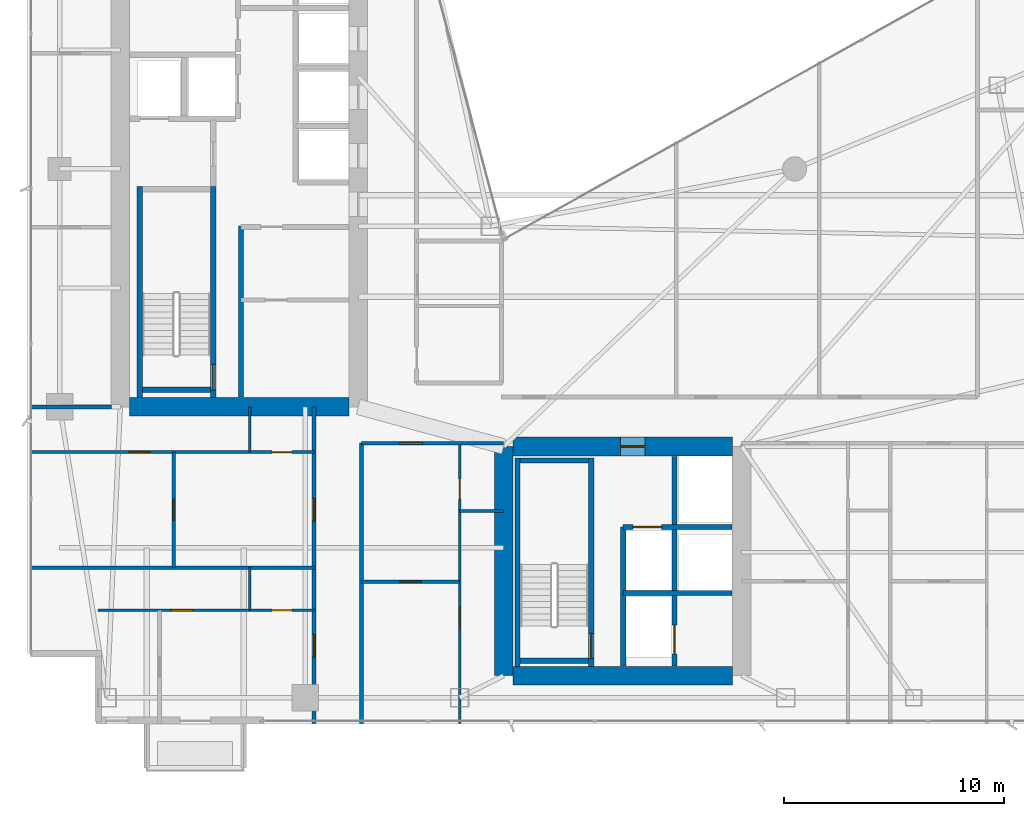
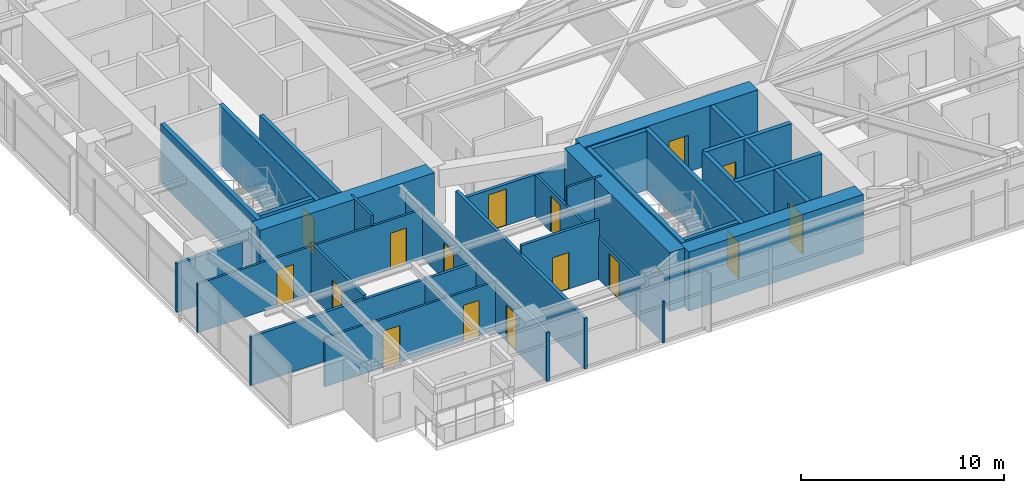
# One storey, part 22 of 28: 29 walls, 16 doors, 16 openings.
"""IFC4 building model written with IfcOpenShell, lengths in metres."""

from ifc_helpers import new_model, si_unit, direction, frame, frame_2d, origin, place, context, subcontext, project, spatial, rectangle, extrude, material, layer, layer_set, type_object, element, fill, save


model = new_model("IFC4")

# Units and contexts
model_context = context("Model", 3, precision=1e-05, world=origin(), true_north=direction((0.0, 1.0)))
body_context = subcontext(model_context, "Body", "Model", "MODEL_VIEW")
ifc_project = project(units=[si_unit("LENGTHUNIT", "METRE"), si_unit("AREAUNIT", "SQUARE_METRE"), si_unit("VOLUMEUNIT", "CUBIC_METRE"), si_unit("PLANEANGLEUNIT", "RADIAN"), si_unit("MASSUNIT", "GRAM", prefix="KILO")], contexts=[model_context])

# Site, building, storey
site_placement = place(None, origin())
site = spatial("IfcSite", under=ifc_project, at=site_placement, CompositionType="ELEMENT")
building_placement = place(site_placement, origin())
building = spatial("IfcBuilding", under=site, at=building_placement, Name="Calvorn Quay Hotel", CompositionType="ELEMENT")
storey_placement = place(building_placement, frame((0.0, 0.0, 159.89990234375)))
storey = spatial("IfcBuildingStorey", under=building, at=storey_placement, Name="L39", CompositionType="ELEMENT", Elevation=159.89990234375)

# Walls
ifc_material_1 = material(Name="Concrete C50", Category="concrete")
ifc_layer_1 = layer(ifc_material_1, 0.85009765625)
ifc_layer_set_1 = layer_set([ifc_layer_1], Name="WL-CORE-850")
wall_type_1 = type_object("IfcWallType", Name="WL-CORE-850", PredefinedType="SHEAR", material=ifc_layer_set_1)
wall_1_placement = place(storey_placement, frame((4.625, 16.800048828125, 0.0), z_axis=(0.0, 0.0, 1.0), x_axis=(1.0, 0.0, 0.0)))
element("IfcWall", 1, at=wall_1_placement, inside=storey, type_object=wall_type_1, Name="West Core Shear Wall S (L39)", PredefinedType="SHEAR", context=body_context, shape_type="SweptSolid", body=[
    extrude(rectangle(XDim=9.949951171875, YDim=0.85009765625, at=frame_2d((4.97509765625, 0.0))), origin(), (0.0, 0.0, 1.0), 3.56005859375),
])
wall_2_placement = place(storey_placement, frame((21.60009765625, 4.60009765625, 0.0), z_axis=(0.0, 0.0, 1.0), x_axis=(0.0, 1.0, 0.0)))
element("IfcWall", 2, at=wall_2_placement, inside=storey, type_object=wall_type_1, Name="East Core Shear Wall W (L39)", PredefinedType="SHEAR", context=body_context, shape_type="SweptSolid", body=[
    extrude(rectangle(XDim=10.39990234375, YDim=0.85009765625, at=frame_2d((5.199951171875, 0.0))), origin(), (0.0, 0.0, 1.0), 3.56005859375),
])

# Wall, opening, door
wall_3_placement = place(storey_placement, frame((22.02490234375, 15.0, 0.0), z_axis=(0.0, 0.0, 1.0), x_axis=(1.0, 0.0, 0.0)))
wall_3 = element("IfcWall", 3, at=wall_3_placement, inside=storey, type_object=wall_type_1, Name="East Core Shear Wall N (L39)", PredefinedType="SHEAR", context=body_context, shape_type="SweptSolid", body=[
    extrude(rectangle(XDim=9.9501953125, YDim=0.85009765625, at=frame_2d((4.97509765625, 0.0))), origin(), (0.0, 0.0, 1.0), 3.56005859375),
])
opening_1_placement = place(wall_3_placement, frame((4.8798828125, 0.0, 0.0)))
opening_1 = element("IfcOpeningElement", 4, at=opening_1_placement, cuts=wall_3, Name="Opening D-L39-FLE", PredefinedType="OPENING", context=body_context, shape_type="SweptSolid", body=[
    extrude(rectangle(XDim=1.10009765625, YDim=2.199951171875, at=frame_2d((0.550048828125, 1.10009765625))), frame((0.0, 0.43505859375, 0.0), z_axis=(0.0, -1.0, 0.0), x_axis=(1.0, 0.0, 0.0)), (0.0, 0.0, 1.0), 0.8701171875),
])
ifc_material_2 = material(Name="Smoke-Sealed Steel Class A Fire Door", Category="steel")
door_type_1 = type_object("IfcDoorType", Name="DR-FFLOBBY-1100", OperationType="NOTDEFINED", PredefinedType="DOOR", material=ifc_material_2)
door_1_placement = place(opening_1_placement, origin())
door_1 = element("IfcDoor", 5, at=door_1_placement, inside=storey, type_object=door_type_1, Name="East Firefighting Lobby Fire Door (L39)", OperationType="SINGLE_SWING_LEFT", OverallHeight=2.199951171875, OverallWidth=1.10009765625, PredefinedType="DOOR", context=body_context, shape_type="SweptSolid", body=[
    extrude(rectangle(XDim=1.10009765625, YDim=2.199951171875, at=frame_2d((0.550048828125, 1.10009765625))), frame((0.0, 0.02490234375, 0.0), z_axis=(0.0, -1.0, 0.0), x_axis=(1.0, 0.0, 0.0)), (0.0, 0.0, 1.0), 0.050048828125),
])
fill(opening_1, door_1)

# Walls
wall_4_placement = place(storey_placement, frame((22.02490234375, 4.60009765625, 0.0), z_axis=(0.0, 0.0, 1.0), x_axis=(1.0, 0.0, 0.0)))
element("IfcWall", 6, at=wall_4_placement, inside=storey, type_object=wall_type_1, Name="East Core Shear Wall S (L39)", PredefinedType="SHEAR", context=body_context, shape_type="SweptSolid", body=[
    extrude(rectangle(XDim=9.9501953125, YDim=0.85009765625, at=frame_2d((4.97509765625, 0.0))), origin(), (0.0, 0.0, 1.0), 3.56005859375),
])
ifc_material_3 = material(Name="Acoustic Fireboard Steel-Stud Partition", Category="steel")
ifc_layer_2 = layer(ifc_material_3, 0.179931640625)
ifc_layer_set_2 = layer_set([ifc_layer_2], Name="WL-CORR-FIRE-180")
wall_type_2 = type_object("IfcWallType", Name="WL-CORR-FIRE-180", PredefinedType="PARTITIONING", material=ifc_layer_set_2)
wall_5_placement = place(storey_placement, frame((0.080078125, 16.800048828125, 0.0), z_axis=(0.0, 0.0, 1.0), x_axis=(1.0, 0.0, 0.0)))
element("IfcWall", 7, at=wall_5_placement, inside=storey, type_object=wall_type_2, Name="Partition Wall L39-WL-WBAY-S-WALL", PredefinedType="PARTITIONING", context=body_context, shape_type="SweptSolid", body=[
    extrude(rectangle(XDim=3.724853515625, YDim=0.179931640625, at=frame_2d((1.8623046875, 0.0))), origin(), (0.0, 0.0, 1.0), 2.940185546875),
])

# Wall, openings, doors
wall_6_placement = place(storey_placement, frame((13.0, 2.43994140625, 0.0), z_axis=(0.0, 0.0, 1.0), x_axis=(0.0, 1.0, 0.0)))
wall_6 = element("IfcWall", 8, at=wall_6_placement, inside=storey, type_object=wall_type_2, Name="Partition Wall L39-WL-CORR-SW-LEG-W", PredefinedType="PARTITIONING", context=body_context, shape_type="SweptSolid", body=[
    extrude(rectangle(XDim=14.360107421875, YDim=0.179931640625, at=frame_2d((7.18017578125, 0.0))), origin(), (0.0, 0.0, 1.0), 2.940185546875),
])
opening_2_placement = place(wall_6_placement, frame((3.010009765625, 0.0, 0.0)))
opening_2 = element("IfcOpeningElement", 9, at=opening_2_placement, cuts=wall_6, Name="Opening D-L39-U01", PredefinedType="OPENING", context=body_context, shape_type="SweptSolid", body=[
    extrude(rectangle(XDim=1.02001953125, YDim=2.199951171875, at=frame_2d((0.510009765625, 1.10009765625))), frame((0.0, 0.099853515625, 0.0), z_axis=(0.0, -1.0, 0.0), x_axis=(1.0, 0.0, 0.0)), (0.0, 0.0, 1.0), 0.199951171875),
])
opening_3_placement = place(wall_6_placement, frame((9.179931640625, 0.0, 0.0)))
opening_3 = element("IfcOpeningElement", 10, at=opening_3_placement, cuts=wall_6, Name="Opening D-L39-U02", PredefinedType="OPENING", context=body_context, shape_type="SweptSolid", body=[
    extrude(rectangle(XDim=1.02001953125, YDim=2.199951171875, at=frame_2d((0.510009765625, 1.10009765625))), frame((0.0, 0.099853515625, 0.0), z_axis=(0.0, -1.0, 0.0), x_axis=(1.0, 0.0, 0.0)), (0.0, 0.0, 1.0), 0.199951171875),
])
ifc_material_4 = material(Name="Solid-Core Walnut Veneer Hotel Fire Door")
door_type_2 = type_object("IfcDoorType", Name="DR-GUEST-ENTRY-1020", OperationType="NOTDEFINED", PredefinedType="DOOR", material=ifc_material_4)
door_2_placement = place(opening_2_placement, origin())
door_2 = element("IfcDoor", 11, at=door_2_placement, inside=storey, type_object=door_type_2, Name="South-West Unit Door U01 (L39)", OperationType="SINGLE_SWING_LEFT", OverallHeight=2.199951171875, OverallWidth=1.02001953125, PredefinedType="DOOR", context=body_context, shape_type="SweptSolid", body=[
    extrude(rectangle(XDim=1.02001953125, YDim=2.199951171875, at=frame_2d((0.510009765625, 1.10009765625))), frame((0.0, 0.02490234375, 0.0), z_axis=(0.0, -1.0, 0.0), x_axis=(1.0, 0.0, 0.0)), (0.0, 0.0, 1.0), 0.050048828125),
])
fill(opening_2, door_2)
door_3_placement = place(opening_3_placement, origin())
door_3 = element("IfcDoor", 12, at=door_3_placement, inside=storey, type_object=door_type_2, Name="South-West Unit Door U02 (L39)", OperationType="SINGLE_SWING_RIGHT", OverallHeight=2.199951171875, OverallWidth=1.02001953125, PredefinedType="DOOR", context=body_context, shape_type="SweptSolid", body=[
    extrude(rectangle(XDim=1.02001953125, YDim=2.199951171875, at=frame_2d((0.510009765625, 1.10009765625))), frame((0.0, 0.02490234375, 0.0), z_axis=(0.0, -1.0, 0.0), x_axis=(1.0, 0.0, 0.0)), (0.0, 0.0, 1.0), 0.050048828125),
])
fill(opening_3, door_3)

# Wall
wall_7_placement = place(storey_placement, frame((15.14990234375, 2.43994140625, 0.0), z_axis=(0.0, 0.0, 1.0), x_axis=(0.0, 1.0, 0.0)))
element("IfcWall", 13, at=wall_7_placement, inside=storey, type_object=wall_type_2, Name="Partition Wall L39-WL-CORR-SW-W", PredefinedType="PARTITIONING", context=body_context, shape_type="SweptSolid", body=[
    extrude(rectangle(XDim=12.7099609375, YDim=0.179931640625, at=frame_2d((6.35498046875, 0.0))), origin(), (0.0, 0.0, 1.0), 3.0400390625),
])

# Wall, opening, door
wall_8_placement = place(storey_placement, frame((15.14990234375, 15.14990234375, 0.0), z_axis=(0.0, 0.0, 1.0), x_axis=(1.0, 0.0, 0.0)))
wall_8 = element("IfcWall", 14, at=wall_8_placement, inside=storey, type_object=wall_type_2, Name="Partition Wall L39-WL-SC-CORR-S", PredefinedType="PARTITIONING", context=body_context, shape_type="SweptSolid", body=[
    extrude(rectangle(XDim=6.4501953125, YDim=0.179931640625, at=frame_2d((3.22509765625, 0.0))), origin(), (0.0, 0.0, 1.0), 2.489990234375),
])
opening_4_placement = place(wall_8_placement, frame((1.739990234375, 0.0, 0.0)))
opening_4 = element("IfcOpeningElement", 15, at=opening_4_placement, cuts=wall_8, Name="Opening D-L39-U03", PredefinedType="OPENING", context=body_context, shape_type="SweptSolid", body=[
    extrude(rectangle(XDim=1.02001953125, YDim=2.199951171875, at=frame_2d((0.510009765625, 1.10009765625))), frame((0.0, 0.099853515625, 0.0), z_axis=(0.0, -1.0, 0.0), x_axis=(1.0, 0.0, 0.0)), (0.0, 0.0, 1.0), 0.199951171875),
])
door_4_placement = place(opening_4_placement, origin())
door_4 = element("IfcDoor", 16, at=door_4_placement, inside=storey, type_object=door_type_2, Name="Harbour Central Unit Door (L39)", OperationType="SINGLE_SWING_LEFT", OverallHeight=2.199951171875, OverallWidth=1.02001953125, PredefinedType="DOOR", context=body_context, shape_type="SweptSolid", body=[
    extrude(rectangle(XDim=1.02001953125, YDim=2.199951171875, at=frame_2d((0.510009765625, 1.10009765625))), frame((0.0, 0.02490234375, 0.0), z_axis=(0.0, -1.0, 0.0), x_axis=(1.0, 0.0, 0.0)), (0.0, 0.0, 1.0), 0.050048828125),
])
fill(opening_4, door_4)

# Wall
ifc_material_5 = material(Name="Moisture-Resistant Tile-Backed Partition")
ifc_layer_3 = layer(ifc_material_5, 0.125)
ifc_layer_set_3 = layer_set([ifc_layer_3], Name="WL-ENSUITE-125")
wall_type_3 = type_object("IfcWallType", Name="WL-ENSUITE-125", PredefinedType="PARTITIONING", material=ifc_layer_set_3)
wall_9_placement = place(storey_placement, frame((10.080078125, 7.570068359375, 0.0), z_axis=(0.0, 0.0, 1.0), x_axis=(0.0, 1.0, 0.0)))
element("IfcWall", 17, at=wall_9_placement, inside=storey, type_object=wall_type_3, Name="Partition Wall L39-WL-U01-BDV", PredefinedType="PARTITIONING", context=body_context, shape_type="SweptSolid", body=[
    extrude(rectangle(XDim=1.929931640625, YDim=0.125, at=frame_2d((0.96484375, 0.0))), origin(), (0.0, 0.0, 1.0), 3.090087890625),
])

# Wall, openings, doors
wall_10_placement = place(storey_placement, frame((3.199951171875, 7.570068359375, 0.0), z_axis=(0.0, 0.0, 1.0), x_axis=(1.0, 0.0, 0.0)))
wall_10 = element("IfcWall", 18, at=wall_10_placement, inside=storey, type_object=wall_type_3, Name="Partition Wall L39-WL-U01-BH", PredefinedType="PARTITIONING", context=body_context, shape_type="SweptSolid", body=[
    extrude(rectangle(XDim=9.800048828125, YDim=0.125, at=frame_2d((4.89990234375, 0.0))), origin(), (0.0, 0.0, 1.0), 2.940185546875),
])
opening_5_placement = place(wall_10_placement, frame((3.320068359375, 0.0, 0.0)))
opening_5 = element("IfcOpeningElement", 19, at=opening_5_placement, cuts=wall_10, Name="Opening D-L39-S01", PredefinedType="OPENING", context=body_context, shape_type="SweptSolid", body=[
    extrude(rectangle(XDim=0.9599609375, YDim=2.199951171875, at=frame_2d((0.47998046875, 1.10009765625))), frame((0.0, 0.072509765625, 0.0), z_axis=(0.0, -1.0, 0.0), x_axis=(1.0, 0.0, 0.0)), (0.0, 0.0, 1.0), 0.14501953125),
])
opening_6_placement = place(wall_10_placement, frame((7.889892578125, 0.0, 0.0)))
opening_6 = element("IfcOpeningElement", 20, at=opening_6_placement, cuts=wall_10, Name="Opening D-L39-E01", PredefinedType="OPENING", context=body_context, shape_type="SweptSolid", body=[
    extrude(rectangle(XDim=0.89990234375, YDim=2.14990234375, at=frame_2d((0.449951171875, 1.074951171875))), frame((0.0, 0.072509765625, 0.0), z_axis=(0.0, -1.0, 0.0), x_axis=(1.0, 0.0, 0.0)), (0.0, 0.0, 1.0), 0.14501953125),
])
ifc_material_6 = material(Name="Moisture-Sealed Timber En-Suite Door", Category="wood")
door_type_3 = type_object("IfcDoorType", Name="DR-ENSUITE-900", OperationType="NOTDEFINED", PredefinedType="DOOR", material=ifc_material_6)
door_5_placement = place(opening_6_placement, origin())
door_5 = element("IfcDoor", 21, at=door_5_placement, inside=storey, type_object=door_type_3, Name="En-Suite Door 01", OperationType="SINGLE_SWING_RIGHT", OverallHeight=2.14990234375, OverallWidth=0.89990234375, PredefinedType="DOOR", context=body_context, shape_type="SweptSolid", body=[
    extrude(rectangle(XDim=0.89990234375, YDim=2.14990234375, at=frame_2d((0.449951171875, 1.074951171875))), frame((0.0, 0.02490234375, 0.0), z_axis=(0.0, -1.0, 0.0), x_axis=(1.0, 0.0, 0.0)), (0.0, 0.0, 1.0), 0.050048828125),
])
fill(opening_6, door_5)
ifc_material_7 = material(Name="Solid Timber Internal Suite Door", Category="wood")
door_type_4 = type_object("IfcDoorType", Name="DR-SUITE-INT-960", OperationType="NOTDEFINED", PredefinedType="DOOR", material=ifc_material_7)
door_6_placement = place(opening_5_placement, origin())
door_6 = element("IfcDoor", 22, at=door_6_placement, inside=storey, type_object=door_type_4, Name="Botanical Winter Garden Door 01", OperationType="SINGLE_SWING_LEFT", OverallHeight=2.199951171875, OverallWidth=0.9599609375, PredefinedType="DOOR", context=body_context, shape_type="SweptSolid", body=[
    extrude(rectangle(XDim=0.9599609375, YDim=2.199951171875, at=frame_2d((0.47998046875, 1.10009765625))), frame((0.0, 0.02490234375, 0.0), z_axis=(0.0, -1.0, 0.0), x_axis=(1.0, 0.0, 0.0)), (0.0, 0.0, 1.0), 0.050048828125),
])
fill(opening_5, door_6)

# Wall
wall_11_placement = place(storey_placement, frame((10.080078125, 14.75, 0.0), z_axis=(0.0, 0.0, 1.0), x_axis=(0.0, 1.0, 0.0)))
element("IfcWall", 23, at=wall_11_placement, inside=storey, type_object=wall_type_3, Name="Partition Wall L39-WL-U02-BDV", PredefinedType="PARTITIONING", context=body_context, shape_type="SweptSolid", body=[
    extrude(rectangle(XDim=2.050048828125, YDim=0.125, at=frame_2d((1.02490234375, 0.0))), origin(), (0.0, 0.0, 1.0), 3.56005859375),
])

# Wall, openings, doors
wall_12_placement = place(storey_placement, frame((0.080078125, 14.75, 0.0), z_axis=(0.0, 0.0, 1.0), x_axis=(1.0, 0.0, 0.0)))
wall_12 = element("IfcWall", 24, at=wall_12_placement, inside=storey, type_object=wall_type_3, Name="Partition Wall L39-WL-U02-BH", PredefinedType="PARTITIONING", context=body_context, shape_type="SweptSolid", body=[
    extrude(rectangle(XDim=12.919921875, YDim=0.125, at=frame_2d((6.4599609375, 0.0))), origin(), (0.0, 0.0, 1.0), 2.940185546875),
])
opening_7_placement = place(wall_12_placement, frame((4.52001953125, 0.0, 0.0)))
opening_7 = element("IfcOpeningElement", 25, at=opening_7_placement, cuts=wall_12, Name="Opening D-L39-S02", PredefinedType="OPENING", context=body_context, shape_type="SweptSolid", body=[
    extrude(rectangle(XDim=0.9599609375, YDim=2.199951171875, at=frame_2d((0.47998046875, 1.10009765625))), frame((0.0, 0.072509765625, 0.0), z_axis=(0.0, -1.0, 0.0), x_axis=(1.0, 0.0, 0.0)), (0.0, 0.0, 1.0), 0.14501953125),
])
opening_8_placement = place(wall_12_placement, frame((11.010009765625, 0.0, 0.0)))
opening_8 = element("IfcOpeningElement", 26, at=opening_8_placement, cuts=wall_12, Name="Opening D-L39-E02", PredefinedType="OPENING", context=body_context, shape_type="SweptSolid", body=[
    extrude(rectangle(XDim=0.89990234375, YDim=2.14990234375, at=frame_2d((0.449951171875, 1.074951171875))), frame((0.0, 0.072509765625, 0.0), z_axis=(0.0, -1.0, 0.0), x_axis=(1.0, 0.0, 0.0)), (0.0, 0.0, 1.0), 0.14501953125),
])
door_7_placement = place(opening_8_placement, origin())
door_7 = element("IfcDoor", 27, at=door_7_placement, inside=storey, type_object=door_type_3, Name="En-Suite Door 02", OperationType="SINGLE_SWING_RIGHT", OverallHeight=2.14990234375, OverallWidth=0.89990234375, PredefinedType="DOOR", context=body_context, shape_type="SweptSolid", body=[
    extrude(rectangle(XDim=0.89990234375, YDim=2.14990234375, at=frame_2d((0.449951171875, 1.074951171875))), frame((0.0, 0.02490234375, 0.0), z_axis=(0.0, -1.0, 0.0), x_axis=(1.0, 0.0, 0.0)), (0.0, 0.0, 1.0), 0.050048828125),
])
fill(opening_8, door_7)
door_8_placement = place(opening_7_placement, origin())
door_8 = element("IfcDoor", 28, at=door_8_placement, inside=storey, type_object=door_type_4, Name="Botanical Winter Garden Door 02", OperationType="SINGLE_SWING_LEFT", OverallHeight=2.199951171875, OverallWidth=0.9599609375, PredefinedType="DOOR", context=body_context, shape_type="SweptSolid", body=[
    extrude(rectangle(XDim=0.9599609375, YDim=2.199951171875, at=frame_2d((0.47998046875, 1.10009765625))), frame((0.0, 0.02490234375, 0.0), z_axis=(0.0, -1.0, 0.0), x_axis=(1.0, 0.0, 0.0)), (0.0, 0.0, 1.0), 0.050048828125),
])
fill(opening_7, door_8)

# Wall
wall_13_placement = place(storey_placement, frame((19.60009765625, 12.070068359375, 0.0), z_axis=(0.0, 0.0, 1.0), x_axis=(1.0, 0.0, 0.0)))
element("IfcWall", 29, at=wall_13_placement, inside=storey, type_object=wall_type_3, Name="Partition Wall L39-WL-U03-BDV", PredefinedType="PARTITIONING", context=body_context, shape_type="SweptSolid", body=[
    extrude(rectangle(XDim=2.0, YDim=0.125, at=frame_2d((1.0, 0.0))), origin(), (0.0, 0.0, 1.0), 3.56005859375),
])

# Wall, openings, doors
wall_14_placement = place(storey_placement, frame((19.60009765625, 2.43994140625, 0.0), z_axis=(0.0, 0.0, 1.0), x_axis=(0.0, 1.0, 0.0)))
wall_14 = element("IfcWall", 30, at=wall_14_placement, inside=storey, type_object=wall_type_3, Name="Partition Wall L39-WL-U03-BV", PredefinedType="PARTITIONING", context=body_context, shape_type="SweptSolid", body=[
    extrude(rectangle(XDim=12.7099609375, YDim=0.125, at=frame_2d((6.35498046875, 0.0))), origin(), (0.0, 0.0, 1.0), 2.489990234375),
])
opening_9_placement = place(wall_14_placement, frame((4.340087890625, 0.0, 0.0)))
opening_9 = element("IfcOpeningElement", 31, at=opening_9_placement, cuts=wall_14, Name="Opening D-L39-S03", PredefinedType="OPENING", context=body_context, shape_type="SweptSolid", body=[
    extrude(rectangle(XDim=0.9599609375, YDim=2.199951171875, at=frame_2d((0.47998046875, 1.10009765625))), frame((0.0, 0.072509765625, 0.0), z_axis=(0.0, -1.0, 0.0), x_axis=(1.0, 0.0, 0.0)), (0.0, 0.0, 1.0), 0.14501953125),
])
opening_10_placement = place(wall_14_placement, frame((10.179931640625, 0.0, 0.0)))
opening_10 = element("IfcOpeningElement", 32, at=opening_10_placement, cuts=wall_14, Name="Opening D-L39-E03", PredefinedType="OPENING", context=body_context, shape_type="SweptSolid", body=[
    extrude(rectangle(XDim=0.89990234375, YDim=2.14990234375, at=frame_2d((0.449951171875, 1.074951171875))), frame((0.0, 0.072509765625, 0.0), z_axis=(0.0, -1.0, 0.0), x_axis=(1.0, 0.0, 0.0)), (0.0, 0.0, 1.0), 0.14501953125),
])
door_9_placement = place(opening_10_placement, origin())
door_9 = element("IfcDoor", 33, at=door_9_placement, inside=storey, type_object=door_type_3, Name="En-Suite Door 03", OperationType="SINGLE_SWING_RIGHT", OverallHeight=2.14990234375, OverallWidth=0.89990234375, PredefinedType="DOOR", context=body_context, shape_type="SweptSolid", body=[
    extrude(rectangle(XDim=0.89990234375, YDim=2.14990234375, at=frame_2d((0.449951171875, 1.074951171875))), frame((0.0, 0.02490234375, 0.0), z_axis=(0.0, -1.0, 0.0), x_axis=(1.0, 0.0, 0.0)), (0.0, 0.0, 1.0), 0.050048828125),
])
fill(opening_10, door_9)
door_10_placement = place(opening_9_placement, origin())
door_10 = element("IfcDoor", 34, at=door_10_placement, inside=storey, type_object=door_type_4, Name="Botanical Winter Garden Door 03", OperationType="SINGLE_SWING_LEFT", OverallHeight=2.199951171875, OverallWidth=0.9599609375, PredefinedType="DOOR", context=body_context, shape_type="SweptSolid", body=[
    extrude(rectangle(XDim=0.9599609375, YDim=2.199951171875, at=frame_2d((0.47998046875, 1.10009765625))), frame((0.0, 0.02490234375, 0.0), z_axis=(0.0, -1.0, 0.0), x_axis=(1.0, 0.0, 0.0)), (0.0, 0.0, 1.0), 0.050048828125),
])
fill(opening_9, door_10)

# Wall, opening, door
ifc_material_8 = material(Name="Double-Stud Acoustic Gypsum Partition")
ifc_layer_4 = layer(ifc_material_8, 0.159912109375)
ifc_layer_set_4 = layer_set([ifc_layer_4], Name="WL-INTERSUITE-160")
wall_type_4 = type_object("IfcWallType", Name="WL-INTERSUITE-160", PredefinedType="PARTITIONING", material=ifc_layer_set_4)
wall_15_placement = place(storey_placement, frame((6.6201171875, 9.5, 0.0), z_axis=(0.0, 0.0, 1.0), x_axis=(0.0, 1.0, 0.0)))
wall_15 = element("IfcWall", 35, at=wall_15_placement, inside=storey, type_object=wall_type_4, Name="Partition Wall L39-WL-U02-MSP", PredefinedType="PARTITIONING", context=body_context, shape_type="SweptSolid", body=[
    extrude(rectangle(XDim=5.25, YDim=0.159912109375, at=frame_2d((2.625, 0.0))), origin(), (0.0, 0.0, 1.0), 3.14013671875),
])
opening_11_placement = place(wall_15_placement, frame((2.14990234375, 0.0, 0.0)))
opening_11 = element("IfcOpeningElement", 36, at=opening_11_placement, cuts=wall_15, Name="Opening D-L39-M02", PredefinedType="OPENING", context=body_context, shape_type="SweptSolid", body=[
    extrude(rectangle(XDim=0.9599609375, YDim=2.199951171875, at=frame_2d((0.47998046875, 1.10009765625))), frame((0.0, 0.08984375, 0.0), z_axis=(0.0, -1.0, 0.0), x_axis=(1.0, 0.0, 0.0)), (0.0, 0.0, 1.0), 0.179931640625),
])
door_11_placement = place(opening_11_placement, origin())
door_11 = element("IfcDoor", 37, at=door_11_placement, inside=storey, type_object=door_type_4, Name="Suite Bedroom Door 02", OperationType="SINGLE_SWING_LEFT", OverallHeight=2.199951171875, OverallWidth=0.9599609375, PredefinedType="DOOR", context=body_context, shape_type="SweptSolid", body=[
    extrude(rectangle(XDim=0.9599609375, YDim=2.199951171875, at=frame_2d((0.47998046875, 1.10009765625))), frame((0.0, 0.02490234375, 0.0), z_axis=(0.0, -1.0, 0.0), x_axis=(1.0, 0.0, 0.0)), (0.0, 0.0, 1.0), 0.050048828125),
])
fill(opening_11, door_11)

# Wall
wall_16_placement = place(storey_placement, frame((0.080078125, 9.5, 0.0), z_axis=(0.0, 0.0, 1.0), x_axis=(1.0, 0.0, 0.0)))
element("IfcWall", 38, at=wall_16_placement, inside=storey, type_object=wall_type_4, Name="Partition Wall L39-WL-SW-DIV-1", PredefinedType="PARTITIONING", context=body_context, shape_type="SweptSolid", body=[
    extrude(rectangle(XDim=12.919921875, YDim=0.159912109375, at=frame_2d((6.4599609375, 0.0))), origin(), (0.0, 0.0, 1.0), 2.940185546875),
])

# Wall, opening, door
wall_17_placement = place(storey_placement, frame((15.14990234375, 8.8701171875, 0.0), z_axis=(0.0, 0.0, 1.0), x_axis=(1.0, 0.0, 0.0)))
wall_17 = element("IfcWall", 39, at=wall_17_placement, inside=storey, type_object=wall_type_4, Name="Partition Wall L39-WL-U03-MSP", PredefinedType="PARTITIONING", context=body_context, shape_type="SweptSolid", body=[
    extrude(rectangle(XDim=4.4501953125, YDim=0.159912109375, at=frame_2d((2.22509765625, 0.0))), origin(), (0.0, 0.0, 1.0), 3.56005859375),
])
opening_12_placement = place(wall_17_placement, frame((1.75, 0.0, 0.0)))
opening_12 = element("IfcOpeningElement", 40, at=opening_12_placement, cuts=wall_17, Name="Opening D-L39-M03", PredefinedType="OPENING", context=body_context, shape_type="SweptSolid", body=[
    extrude(rectangle(XDim=0.9599609375, YDim=2.199951171875, at=frame_2d((0.47998046875, 1.10009765625))), frame((0.0, 0.08984375, 0.0), z_axis=(0.0, -1.0, 0.0), x_axis=(1.0, 0.0, 0.0)), (0.0, 0.0, 1.0), 0.179931640625),
])
door_12_placement = place(opening_12_placement, origin())
door_12 = element("IfcDoor", 41, at=door_12_placement, inside=storey, type_object=door_type_4, Name="Suite Bedroom Door 03", OperationType="SINGLE_SWING_LEFT", OverallHeight=2.199951171875, OverallWidth=0.9599609375, PredefinedType="DOOR", context=body_context, shape_type="SweptSolid", body=[
    extrude(rectangle(XDim=0.9599609375, YDim=2.199951171875, at=frame_2d((0.47998046875, 1.10009765625))), frame((0.0, 0.02490234375, 0.0), z_axis=(0.0, -1.0, 0.0), x_axis=(1.0, 0.0, 0.0)), (0.0, 0.0, 1.0), 0.050048828125),
])
fill(opening_12, door_12)

# Walls
ifc_material_9 = material(Name="Autoclaved Aerated Masonry Block", Category="masonry")
ifc_layer_5 = layer(ifc_material_9, 0.219970703125)
ifc_layer_set_5 = layer_set([ifc_layer_5], Name="WL-LOBBY-FIRE-220")
wall_type_5 = type_object("IfcWallType", Name="WL-LOBBY-FIRE-220", PredefinedType="SOLIDWALL", material=ifc_layer_set_5)
wall_18_placement = place(storey_placement, frame((9.679931640625, 17.2451171875, 0.0), z_axis=(0.0, 0.0, 1.0), x_axis=(0.0, 1.0, 0.0)))
element("IfcWall", 42, at=wall_18_placement, inside=storey, type_object=wall_type_5, Name="Partition Wall L39-WL-CWW-STW-HALL-E", PredefinedType="SOLIDWALL", context=body_context, shape_type="SweptSolid", body=[
    extrude(rectangle(XDim=7.7548828125, YDim=0.219970703125, at=frame_2d((3.87744140625, 0.0))), origin(), (0.0, 0.0, 1.0), 3.56005859375),
])
ifc_material_10 = material(Name="Concrete C40", Category="concrete")
ifc_layer_6 = layer(ifc_material_10, 0.239990234375)
ifc_layer_set_6 = layer_set([ifc_layer_6], Name="WL-SHAFT-240")
wall_type_6 = type_object("IfcWallType", Name="WL-SHAFT-240", PredefinedType="SOLIDWALL", material=ifc_layer_set_6)
wall_19_placement = place(storey_placement, frame((5.080078125, 17.22509765625, 0.0), z_axis=(0.0, 0.0, 1.0), x_axis=(0.0, 1.0, 0.0)))
element("IfcWall", 43, at=wall_19_placement, inside=storey, type_object=wall_type_6, Name="Stair STW Shaft Wall W (L39)", PredefinedType="SOLIDWALL", context=body_context, shape_type="SweptSolid", body=[
    extrude(rectangle(XDim=9.56494140625, YDim=0.239990234375, at=frame_2d((4.782470703125, 0.0))), origin(), (0.0, 0.0, 1.0), 3.56005859375),
])

# Wall, opening, door
wall_20_placement = place(storey_placement, frame((8.419921875, 17.22509765625, 0.0), z_axis=(0.0, 0.0, 1.0), x_axis=(0.0, 1.0, 0.0)))
wall_20 = element("IfcWall", 44, at=wall_20_placement, inside=storey, type_object=wall_type_6, Name="Stair STW Shaft Wall E (L39)", PredefinedType="SOLIDWALL", context=body_context, shape_type="SweptSolid", body=[
    extrude(rectangle(XDim=9.56494140625, YDim=0.239990234375, at=frame_2d((4.782470703125, 0.0))), origin(), (0.0, 0.0, 1.0), 3.56005859375),
])
opening_13_placement = place(wall_20_placement, frame((0.35009765625, 0.0, 0.0)))
opening_13 = element("IfcOpeningElement", 45, at=opening_13_placement, cuts=wall_20, Name="Opening D-L39-STW", PredefinedType="OPENING", context=body_context, shape_type="SweptSolid", body=[
    extrude(rectangle(XDim=1.14990234375, YDim=2.199951171875, at=frame_2d((0.574951171875, 1.10009765625))), frame((0.0, 0.1298828125, 0.0), z_axis=(0.0, -1.0, 0.0), x_axis=(1.0, 0.0, 0.0)), (0.0, 0.0, 1.0), 0.260009765625),
])
ifc_material_11 = material(Name="Galvanised Steel Class A Fire Door", Category="steel")
door_type_5 = type_object("IfcDoorType", Name="DR-STAIR-SMOKE-1150", OperationType="NOTDEFINED", PredefinedType="DOOR", material=ifc_material_11)
door_13_placement = place(opening_13_placement, origin())
door_13 = element("IfcDoor", 46, at=door_13_placement, inside=storey, type_object=door_type_5, Name="Stair ST-W Fire Door (L39)", OperationType="SINGLE_SWING_LEFT", OverallHeight=2.199951171875, OverallWidth=1.14990234375, PredefinedType="DOOR", context=body_context, shape_type="SweptSolid", body=[
    extrude(rectangle(XDim=1.14990234375, YDim=2.199951171875, at=frame_2d((0.574951171875, 1.10009765625))), frame((0.0, 0.02490234375, 0.0), z_axis=(0.0, -1.0, 0.0), x_axis=(1.0, 0.0, 0.0)), (0.0, 0.0, 1.0), 0.050048828125),
])
fill(opening_13, door_13)

# Walls
wall_21_placement = place(storey_placement, frame((5.199951171875, 17.580078125, 0.0), z_axis=(0.0, 0.0, 1.0), x_axis=(1.0, 0.0, 0.0)))
element("IfcWall", 47, at=wall_21_placement, inside=storey, type_object=wall_type_6, Name="Stair STW Shaft Wall S (L39)", PredefinedType="SOLIDWALL", context=body_context, shape_type="SweptSolid", body=[
    extrude(rectangle(XDim=3.10009765625, YDim=0.239990234375, at=frame_2d((1.550048828125, 0.0))), origin(), (0.0, 0.0, 1.0), 3.56005859375),
])
wall_22_placement = place(storey_placement, frame((22.22998046875, 5.02490234375, 0.0), z_axis=(0.0, 0.0, 1.0), x_axis=(0.0, 1.0, 0.0)))
element("IfcWall", 48, at=wall_22_placement, inside=storey, type_object=wall_type_6, Name="Stair STE Shaft Wall W (L39)", PredefinedType="SOLIDWALL", context=body_context, shape_type="SweptSolid", body=[
    extrude(rectangle(XDim=9.465087890625, YDim=0.239990234375, at=frame_2d((4.732421875, 0.0))), origin(), (0.0, 0.0, 1.0), 3.56005859375),
])

# Wall, opening, door
wall_23_placement = place(storey_placement, frame((25.570068359375, 5.02490234375, 0.0), z_axis=(0.0, 0.0, 1.0), x_axis=(0.0, 1.0, 0.0)))
wall_23 = element("IfcWall", 49, at=wall_23_placement, inside=storey, type_object=wall_type_6, Name="Stair STE Shaft Wall E (L39)", PredefinedType="SOLIDWALL", context=body_context, shape_type="SweptSolid", body=[
    extrude(rectangle(XDim=9.465087890625, YDim=0.239990234375, at=frame_2d((4.732421875, 0.0))), origin(), (0.0, 0.0, 1.0), 3.56005859375),
])
opening_14_placement = place(wall_23_placement, frame((0.35009765625, 0.0, 0.0)))
opening_14 = element("IfcOpeningElement", 50, at=opening_14_placement, cuts=wall_23, Name="Opening D-L39-STE", PredefinedType="OPENING", context=body_context, shape_type="SweptSolid", body=[
    extrude(rectangle(XDim=1.14990234375, YDim=2.199951171875, at=frame_2d((0.574951171875, 1.10009765625))), frame((0.0, 0.1298828125, 0.0), z_axis=(0.0, -1.0, 0.0), x_axis=(1.0, 0.0, 0.0)), (0.0, 0.0, 1.0), 0.260009765625),
])
door_14_placement = place(opening_14_placement, origin())
door_14 = element("IfcDoor", 51, at=door_14_placement, inside=storey, type_object=door_type_5, Name="Stair ST-E Fire Door (L39)", OperationType="SINGLE_SWING_RIGHT", OverallHeight=2.199951171875, OverallWidth=1.14990234375, PredefinedType="DOOR", context=body_context, shape_type="SweptSolid", body=[
    extrude(rectangle(XDim=1.14990234375, YDim=2.199951171875, at=frame_2d((0.574951171875, 1.10009765625))), frame((0.0, 0.02490234375, 0.0), z_axis=(0.0, -1.0, 0.0), x_axis=(1.0, 0.0, 0.0)), (0.0, 0.0, 1.0), 0.050048828125),
])
fill(opening_14, door_14)

# Walls
for number, where, z_axis, x_axis, name in (
    (52, (22.35009765625, 5.280029296875, 0.0), (0.0, 0.0, 1.0), (1.0, 0.0, 0.0), "Stair STE Shaft Wall S (L39)"),
    (53, (22.35009765625, 14.3701171875, 0.0), (0.0, 0.0, 1.0), (1.0, 0.0, 0.0), "Stair STE Shaft Wall N (L39)"),
):
    element("IfcWall", number, at=place(storey_placement, frame(where, z_axis=z_axis, x_axis=x_axis)), inside=storey, type_object=wall_type_6, Name=name, PredefinedType="SOLIDWALL", context=body_context, shape_type="SweptSolid", body=[
        extrude(rectangle(XDim=3.099853515625, YDim=0.239990234375, at=frame_2d((1.5498046875, 0.0))), origin(), (0.0, 0.0, 1.0), 3.56005859375),
    ])
wall_24_placement = place(storey_placement, frame((27.02001953125, 5.044921875, 0.0), z_axis=(0.0, 0.0, 1.0), x_axis=(0.0, 1.0, 0.0)))
element("IfcWall", 54, at=wall_24_placement, inside=storey, type_object=wall_type_6, Name="Partition Wall L39-WL-CWE-SH-W", PredefinedType="SOLIDWALL", context=body_context, shape_type="SweptSolid", body=[
    extrude(rectangle(XDim=6.30517578125, YDim=0.239990234375, at=frame_2d((3.152587890625, 0.0))), origin(), (0.0, 0.0, 1.0), 3.56005859375),
])

# Wall, opening, door
wall_25_placement = place(storey_placement, frame((27.02001953125, 11.35009765625, 0.0), z_axis=(0.0, 0.0, 1.0), x_axis=(1.0, 0.0, 0.0)))
wall_25 = element("IfcWall", 55, at=wall_25_placement, inside=storey, type_object=wall_type_6, Name="Partition Wall L39-WL-CWE-FFL-S", PredefinedType="SOLIDWALL", context=body_context, shape_type="SweptSolid", body=[
    extrude(rectangle(XDim=4.93505859375, YDim=0.239990234375, at=frame_2d((2.467529296875, 0.0))), origin(), (0.0, 0.0, 1.0), 3.56005859375),
])
opening_15_placement = place(wall_25_placement, frame((0.449951171875, 0.0, 0.0)))
opening_15 = element("IfcOpeningElement", 56, at=opening_15_placement, cuts=wall_25, Name="Opening LD-L39-FLE1", PredefinedType="OPENING", context=body_context, shape_type="SweptSolid", body=[
    extrude(rectangle(XDim=1.300048828125, YDim=2.35009765625, at=frame_2d((0.64990234375, 1.175048828125))), frame((0.0, 0.1298828125, 0.0), z_axis=(0.0, -1.0, 0.0), x_axis=(1.0, 0.0, 0.0)), (0.0, 0.0, 1.0), 0.260009765625),
])
ifc_material_12 = material(Name="Champagne-Bronze Sliding Express Lift Landing Door")
door_type_6 = type_object("IfcDoorType", Name="DR-LIFT-SHUTTLE-1300", OperationType="NOTDEFINED", PredefinedType="DOOR", material=ifc_material_12)
door_15_placement = place(opening_15_placement, origin())
door_15 = element("IfcDoor", 57, at=door_15_placement, inside=storey, type_object=door_type_6, Name="Firefighting Lift FL-E1 Landing Door (L39)", OperationType="DOUBLE_DOOR_SLIDING", OverallHeight=2.35009765625, OverallWidth=1.300048828125, PredefinedType="DOOR", context=body_context, shape_type="SweptSolid", body=[
    extrude(rectangle(XDim=1.300048828125, YDim=2.35009765625, at=frame_2d((0.64990234375, 1.175048828125))), frame((0.0, 0.02490234375, 0.0), z_axis=(0.0, -1.0, 0.0), x_axis=(1.0, 0.0, 0.0)), (0.0, 0.0, 1.0), 0.050048828125),
])
fill(opening_15, door_15)

# Wall
wall_26_placement = place(storey_placement, frame((27.02001953125, 8.35009765625, 0.0), z_axis=(0.0, 0.0, 1.0), x_axis=(1.0, 0.0, 0.0)))
element("IfcWall", 58, at=wall_26_placement, inside=storey, type_object=wall_type_6, Name="Partition Wall L39-WL-CWE-SL-N", PredefinedType="SOLIDWALL", context=body_context, shape_type="SweptSolid", body=[
    extrude(rectangle(XDim=4.93505859375, YDim=0.239990234375, at=frame_2d((2.467529296875, 0.0))), origin(), (0.0, 0.0, 1.0), 3.56005859375),
])

# Wall, opening, door
wall_27_placement = place(storey_placement, frame((29.35009765625, 5.044921875, 0.0), z_axis=(0.0, 0.0, 1.0), x_axis=(0.0, 1.0, 0.0)))
wall_27 = element("IfcWall", 59, at=wall_27_placement, inside=storey, type_object=wall_type_6, Name="Partition Wall L39-WL-CWE-OB-W", PredefinedType="SOLIDWALL", context=body_context, shape_type="SweptSolid", body=[
    extrude(rectangle(XDim=9.510009765625, YDim=0.239990234375, at=frame_2d((4.7548828125, 0.0))), origin(), (0.0, 0.0, 1.0), 3.56005859375),
])
opening_16_placement = place(wall_27_placement, frame((0.550048828125, 0.0, 0.0)))
opening_16 = element("IfcOpeningElement", 60, at=opening_16_placement, cuts=wall_27, Name="Opening LD-L39-SLEI", PredefinedType="OPENING", context=body_context, shape_type="SweptSolid", body=[
    extrude(rectangle(XDim=1.300048828125, YDim=2.35009765625, at=frame_2d((0.64990234375, 1.175048828125))), frame((0.0, 0.1298828125, 0.0), z_axis=(0.0, -1.0, 0.0), x_axis=(1.0, 0.0, 0.0)), (0.0, 0.0, 1.0), 0.260009765625),
])
door_16_placement = place(opening_16_placement, origin())
door_16 = element("IfcDoor", 61, at=door_16_placement, inside=storey, type_object=door_type_6, Name="Service Lift SL-E1 Landing Door (L39)", OperationType="DOUBLE_DOOR_SLIDING", OverallHeight=2.35009765625, OverallWidth=1.300048828125, PredefinedType="DOOR", context=body_context, shape_type="SweptSolid", body=[
    extrude(rectangle(XDim=1.300048828125, YDim=2.35009765625, at=frame_2d((0.64990234375, 1.175048828125))), frame((0.0, 0.02490234375, 0.0), z_axis=(0.0, -1.0, 0.0), x_axis=(1.0, 0.0, 0.0)), (0.0, 0.0, 1.0), 0.050048828125),
])
fill(opening_16, door_16)

save(model, "model.ifc")
